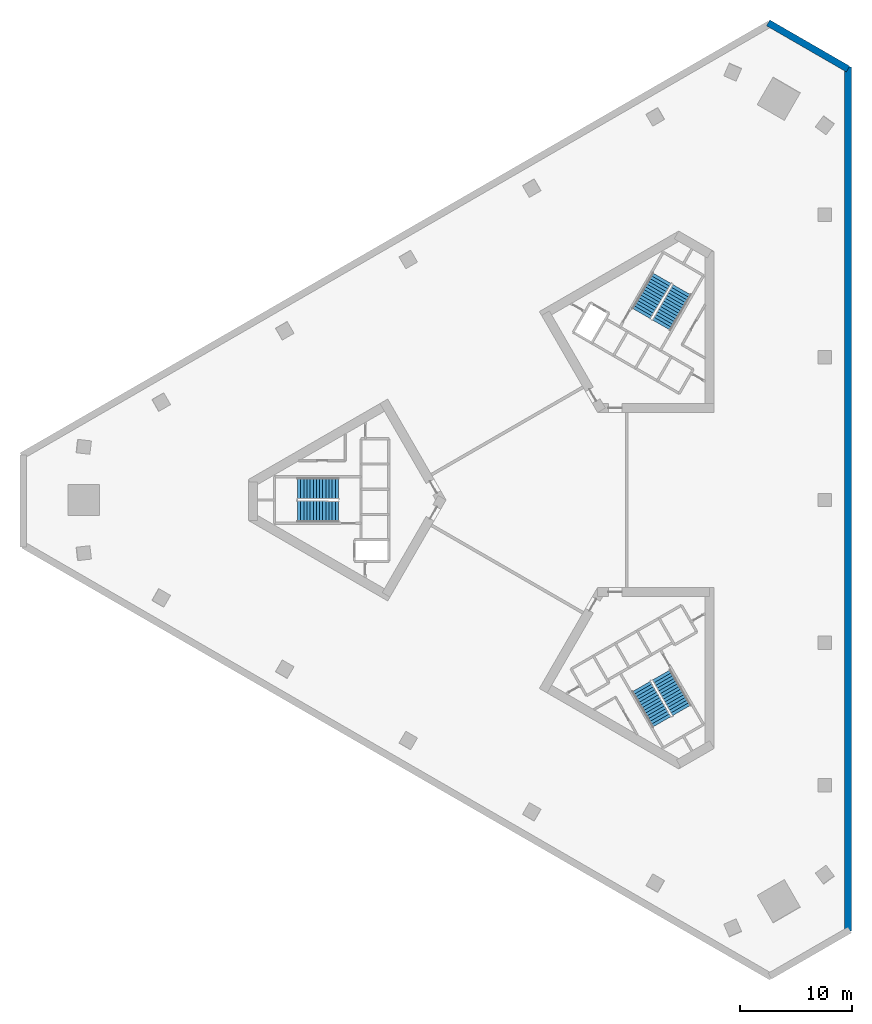
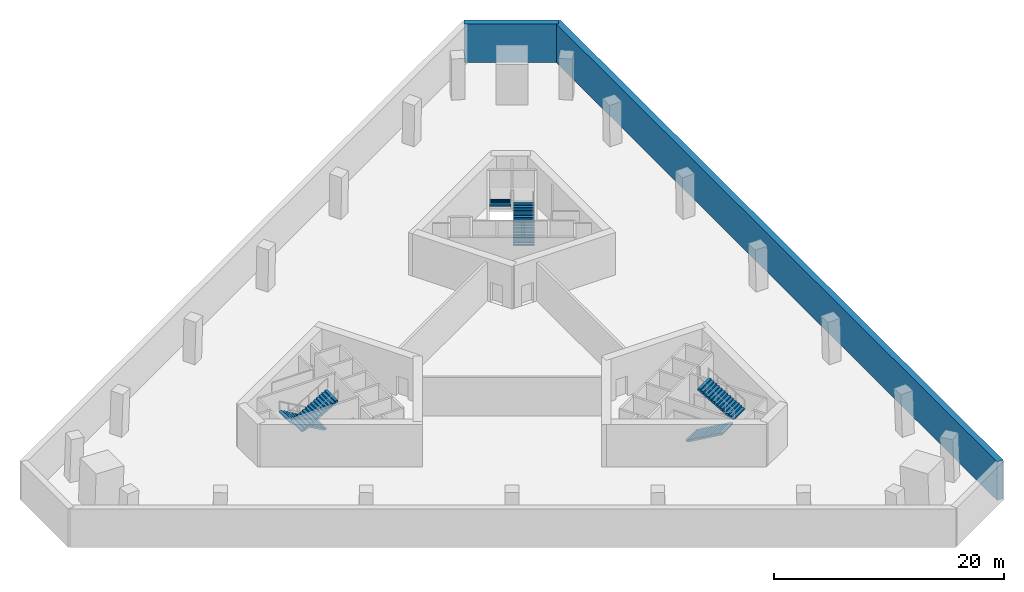
# One storey, part 5 of 6: 6 stair flights, 2 walls, 3 elements without a shape of their own.
"""IFC4 building model written with IfcOpenShell, lengths in metres."""

from ifc_helpers import new_model, si_unit, direction, frame, frame_2d, origin, place, context, subcontext, project, spatial, polyline, rectangle, outline, extrude, material, layer, layer_set, type_object, element, aggregate, save


model = new_model("IFC4")

# Units and contexts
model_context = context("Model", 3, precision=1e-05, world=origin(), true_north=direction((0.0, 1.0)))
body_context = subcontext(model_context, "Body", "Model", "MODEL_VIEW")
ifc_project = project(units=[si_unit("LENGTHUNIT", "METRE"), si_unit("AREAUNIT", "SQUARE_METRE"), si_unit("VOLUMEUNIT", "CUBIC_METRE"), si_unit("PLANEANGLEUNIT", "RADIAN"), si_unit("MASSUNIT", "GRAM", prefix="KILO")], contexts=[model_context])

# Site, building, storey
site_placement = place(None, origin())
site = spatial("IfcSite", under=ifc_project, at=site_placement, CompositionType="ELEMENT")
building_placement = place(site_placement, origin())
building = spatial("IfcBuilding", under=site, at=building_placement, Name="Jabali Bay Hotel Tower and Convention Centre", CompositionType="ELEMENT")
storey_placement = place(building_placement, frame((0.0, 0.0, -4.5)))
storey = spatial("IfcBuildingStorey", under=building, at=storey_placement, Name="B1", CompositionType="ELEMENT", Elevation=-4.5)

# Walls
ifc_material = material(Name="Concrete C40", Category="concrete")
ifc_layer = layer(ifc_material, 0.60009765625)
ifc_layer_set = layer_set([ifc_layer], Name="Concrete C40")
wall_type = type_object("IfcWallType", Name="Retaining wall 600", PredefinedType="SOLIDWALL", material=ifc_layer_set)
wall_1_placement = place(storey_placement, frame((101.800048828125, 41.6181640625, 0.0), z_axis=(0.0, 0.0, 1.0), x_axis=(0.0, 1.0, 0.0)))
element("IfcWall", 1, at=wall_1_placement, inside=storey, type_object=wall_type, Name="Retaining wall B1 1", PredefinedType="SOLIDWALL", context=body_context, shape_type="SweptSolid", body=[
    extrude(rectangle(XDim=76.93701171875, YDim=0.60009765625, at=frame_2d((38.468505859375, 0.0))), origin(), (0.0, 0.0, 1.0), 4.10009765625),
])
wall_2_placement = place(storey_placement, frame((101.800048828125, 118.3818359375, 0.0), z_axis=(0.0, 0.0, 1.0), x_axis=(-0.866022174996, 0.500005592383, 0.0)))
element("IfcWall", 2, at=wall_2_placement, inside=storey, type_object=wall_type, Name="Retaining wall B1 2", PredefinedType="SOLIDWALL", context=body_context, shape_type="SweptSolid", body=[
    extrude(rectangle(XDim=8.21044921875, YDim=0.60009765625, at=frame_2d((4.105224609375, 0.0))), origin(), (0.0, 0.0, 1.0), 4.10009765625),
])

# Stair, stair flights
stair_type = type_object("IfcStairType", Name="Exit stair 1900", PredefinedType="HALF_TURN_STAIR", material=ifc_material)
stair_1_placement = place(storey_placement, origin())
stair_1 = element("IfcStair", 3, at=stair_1_placement, inside=storey, type_object=stair_type, Name="B1 Exit Stair 1", PredefinedType="HALF_TURN_STAIR")
stair_flight_type = type_object("IfcStairFlightType", Name="Stair flight concrete 150", PredefinedType="STRAIGHT", material=ifc_material)
stair_flight_1_placement = place(storey_placement, frame((56.419921875, 81.02490234375, 0.0), z_axis=(0.0, 0.0, 1.0), x_axis=(-1.0, 0.0, 0.0)))
stair_flight_1 = element("IfcStairFlight", 4, at=stair_flight_1_placement, type_object=stair_flight_type, Name="ST1 flight 1", NumberOfRisers=14, NumberOfTreads=13, PredefinedType="STRAIGHT", RiserHeight=0.160714286, TreadLength=0.28, context=body_context, shape_type="SweptSolid", body=[
    extrude(outline(polyline([(0.0, 0.0), (0.0, 0.16064453125), (0.280029296875, 0.16064453125), (0.280029296875, 0.321533203125), (0.56005859375, 0.321533203125), (0.56005859375, 0.482177734375), (0.840087890625, 0.482177734375), (0.840087890625, 0.642822265625), (1.1201171875, 0.642822265625), (1.1201171875, 0.803466796875), (1.39990234375, 0.803466796875), (1.39990234375, 0.96435546875), (1.679931640625, 0.96435546875), (1.679931640625, 1.125), (1.9599609375, 1.125), (1.9599609375, 1.28564453125), (2.239990234375, 1.28564453125), (2.239990234375, 1.446533203125), (2.52001953125, 1.446533203125), (2.52001953125, 1.607177734375), (2.800048828125, 1.607177734375), (2.800048828125, 1.767822265625), (3.080078125, 1.767822265625), (3.080078125, 1.928466796875), (3.360107421875, 1.928466796875), (3.360107421875, 2.08935546875), (3.639892578125, 2.08935546875), (3.639892578125, 2.25), (3.639892578125, 1.91650390625), (0.301025390625, 0.0), (0.0, 0.0)])), frame((0.0, 0.949951171875, 0.0), z_axis=(0.0, -1.0, 0.0), x_axis=(1.0, 0.0, 0.0)), (0.0, 0.0, 1.0), 1.89990234375),
])
stair_flight_2_placement = place(storey_placement, frame((52.780029296875, 78.97509765625, 2.25), z_axis=(0.0, 0.0, 1.0), x_axis=(1.0, 0.0, 0.0)))
stair_flight_2 = element("IfcStairFlight", 5, at=stair_flight_2_placement, type_object=stair_flight_type, Name="ST1 flight 2", NumberOfRisers=14, NumberOfTreads=13, PredefinedType="STRAIGHT", RiserHeight=0.160714286, TreadLength=0.28, context=body_context, shape_type="SweptSolid", body=[
    extrude(outline(polyline([(0.0, 0.0), (0.0, 0.16064453125), (0.280029296875, 0.16064453125), (0.280029296875, 0.321533203125), (0.56005859375, 0.321533203125), (0.56005859375, 0.482177734375), (0.840087890625, 0.482177734375), (0.840087890625, 0.642822265625), (1.1201171875, 0.642822265625), (1.1201171875, 0.803466796875), (1.39990234375, 0.803466796875), (1.39990234375, 0.96435546875), (1.679931640625, 0.96435546875), (1.679931640625, 1.125), (1.9599609375, 1.125), (1.9599609375, 1.28564453125), (2.239990234375, 1.28564453125), (2.239990234375, 1.446533203125), (2.52001953125, 1.446533203125), (2.52001953125, 1.607177734375), (2.800048828125, 1.607177734375), (2.800048828125, 1.767822265625), (3.080078125, 1.767822265625), (3.080078125, 1.928466796875), (3.360107421875, 1.928466796875), (3.360107421875, 2.08935546875), (3.639892578125, 2.08935546875), (3.639892578125, 2.25), (3.639892578125, 1.91650390625), (0.301025390625, 0.0), (0.0, 0.0)])), frame((0.0, 0.949951171875, 0.0), z_axis=(0.0, -1.0, 0.0), x_axis=(1.0, 0.0, 0.0)), (0.0, 0.0, 1.0), 1.89990234375),
])
aggregate(stair_1, [stair_flight_1, stair_flight_2])

stair_2_placement = place(storey_placement, origin())
stair_2 = element("IfcStair", 6, at=stair_2_placement, inside=storey, type_object=stair_type, Name="B1 Exit Stair 2", PredefinedType="HALF_TURN_STAIR")
stair_flight_3_placement = place(storey_placement, frame((85.177734375, 95.578369140625, 0.0), z_axis=(0.0, 0.0, 1.0), x_axis=(0.5, 0.866025403784, 0.0)))
stair_flight_3 = element("IfcStairFlight", 7, at=stair_flight_3_placement, type_object=stair_flight_type, Name="ST2 flight 1", NumberOfRisers=14, NumberOfTreads=13, PredefinedType="STRAIGHT", RiserHeight=0.160714286, TreadLength=0.28, context=body_context, shape_type="SweptSolid", body=[
    extrude(outline(polyline([(0.0, 0.0), (0.0, 0.16064453125), (0.280029296875, 0.16064453125), (0.280029296875, 0.321533203125), (0.56005859375, 0.321533203125), (0.56005859375, 0.482177734375), (0.840087890625, 0.482177734375), (0.840087890625, 0.642822265625), (1.1201171875, 0.642822265625), (1.1201171875, 0.803466796875), (1.39990234375, 0.803466796875), (1.39990234375, 0.96435546875), (1.679931640625, 0.96435546875), (1.679931640625, 1.125), (1.9599609375, 1.125), (1.9599609375, 1.28564453125), (2.239990234375, 1.28564453125), (2.239990234375, 1.446533203125), (2.52001953125, 1.446533203125), (2.52001953125, 1.607177734375), (2.800048828125, 1.607177734375), (2.800048828125, 1.767822265625), (3.080078125, 1.767822265625), (3.080078125, 1.928466796875), (3.360107421875, 1.928466796875), (3.360107421875, 2.08935546875), (3.639892578125, 2.08935546875), (3.639892578125, 2.25), (3.639892578125, 1.91650390625), (0.301025390625, 0.0), (0.0, 0.0)])), frame((0.0, 0.949951171875, 0.0), z_axis=(0.0, -1.0, 0.0), x_axis=(1.0, 0.0, 0.0)), (0.0, 0.0, 1.0), 1.89990234375),
])
stair_flight_4_placement = place(storey_placement, frame((85.222412109375, 99.755615234375, 2.25), z_axis=(0.0, 0.0, 1.0), x_axis=(-0.5, -0.866025403784, 0.0)))
stair_flight_4 = element("IfcStairFlight", 8, at=stair_flight_4_placement, type_object=stair_flight_type, Name="ST2 flight 2", NumberOfRisers=14, NumberOfTreads=13, PredefinedType="STRAIGHT", RiserHeight=0.160714286, TreadLength=0.28, context=body_context, shape_type="SweptSolid", body=[
    extrude(outline(polyline([(0.0, 0.0), (0.0, 0.16064453125), (0.280029296875, 0.16064453125), (0.280029296875, 0.321533203125), (0.56005859375, 0.321533203125), (0.56005859375, 0.482177734375), (0.840087890625, 0.482177734375), (0.840087890625, 0.642822265625), (1.1201171875, 0.642822265625), (1.1201171875, 0.803466796875), (1.39990234375, 0.803466796875), (1.39990234375, 0.96435546875), (1.679931640625, 0.96435546875), (1.679931640625, 1.125), (1.9599609375, 1.125), (1.9599609375, 1.28564453125), (2.239990234375, 1.28564453125), (2.239990234375, 1.446533203125), (2.52001953125, 1.446533203125), (2.52001953125, 1.607177734375), (2.800048828125, 1.607177734375), (2.800048828125, 1.767822265625), (3.080078125, 1.767822265625), (3.080078125, 1.928466796875), (3.360107421875, 1.928466796875), (3.360107421875, 2.08935546875), (3.639892578125, 2.08935546875), (3.639892578125, 2.25), (3.639892578125, 1.91650390625), (0.301025390625, 0.0), (0.0, 0.0)])), frame((0.0, 0.949951171875, 0.0), z_axis=(0.0, -1.0, 0.0), x_axis=(1.0, 0.0, 0.0)), (0.0, 0.0, 1.0), 1.89990234375),
])
aggregate(stair_2, [stair_flight_3, stair_flight_4])

stair_3_placement = place(storey_placement, origin())
stair_3 = element("IfcStair", 9, at=stair_3_placement, inside=storey, type_object=stair_type, Name="B1 Exit Stair 3", PredefinedType="HALF_TURN_STAIR")
stair_flight_5_placement = place(storey_placement, frame((83.40234375, 63.396728515625, 0.0), z_axis=(0.0, 0.0, 1.0), x_axis=(0.5, -0.866025403784, 0.0)))
stair_flight_5 = element("IfcStairFlight", 10, at=stair_flight_5_placement, type_object=stair_flight_type, Name="ST3 flight 1", NumberOfRisers=14, NumberOfTreads=13, PredefinedType="STRAIGHT", RiserHeight=0.160714286, TreadLength=0.28, context=body_context, shape_type="SweptSolid", body=[
    extrude(outline(polyline([(0.0, 0.0), (0.0, 0.16064453125), (0.280029296875, 0.16064453125), (0.280029296875, 0.321533203125), (0.56005859375, 0.321533203125), (0.56005859375, 0.482177734375), (0.840087890625, 0.482177734375), (0.840087890625, 0.642822265625), (1.1201171875, 0.642822265625), (1.1201171875, 0.803466796875), (1.39990234375, 0.803466796875), (1.39990234375, 0.96435546875), (1.679931640625, 0.96435546875), (1.679931640625, 1.125), (1.9599609375, 1.125), (1.9599609375, 1.28564453125), (2.239990234375, 1.28564453125), (2.239990234375, 1.446533203125), (2.52001953125, 1.446533203125), (2.52001953125, 1.607177734375), (2.800048828125, 1.607177734375), (2.800048828125, 1.767822265625), (3.080078125, 1.767822265625), (3.080078125, 1.928466796875), (3.360107421875, 1.928466796875), (3.360107421875, 2.08935546875), (3.639892578125, 2.08935546875), (3.639892578125, 2.25), (3.639892578125, 1.91650390625), (0.301025390625, 0.0), (0.0, 0.0)])), frame((0.0, 0.949951171875, 0.0), z_axis=(0.0, -1.0, 0.0), x_axis=(1.0, 0.0, 0.0)), (0.0, 0.0, 1.0), 1.89990234375),
])
stair_flight_6_placement = place(storey_placement, frame((86.99755859375, 61.26953125, 2.25), z_axis=(0.0, 0.0, 1.0), x_axis=(-0.5, 0.866025403784, 0.0)))
stair_flight_6 = element("IfcStairFlight", 11, at=stair_flight_6_placement, type_object=stair_flight_type, Name="ST3 flight 2", NumberOfRisers=14, NumberOfTreads=13, PredefinedType="STRAIGHT", RiserHeight=0.160714286, TreadLength=0.28, context=body_context, shape_type="SweptSolid", body=[
    extrude(outline(polyline([(0.0, 0.0), (0.0, 0.16064453125), (0.280029296875, 0.16064453125), (0.280029296875, 0.321533203125), (0.56005859375, 0.321533203125), (0.56005859375, 0.482177734375), (0.840087890625, 0.482177734375), (0.840087890625, 0.642822265625), (1.1201171875, 0.642822265625), (1.1201171875, 0.803466796875), (1.39990234375, 0.803466796875), (1.39990234375, 0.96435546875), (1.679931640625, 0.96435546875), (1.679931640625, 1.125), (1.9599609375, 1.125), (1.9599609375, 1.28564453125), (2.239990234375, 1.28564453125), (2.239990234375, 1.446533203125), (2.52001953125, 1.446533203125), (2.52001953125, 1.607177734375), (2.800048828125, 1.607177734375), (2.800048828125, 1.767822265625), (3.080078125, 1.767822265625), (3.080078125, 1.928466796875), (3.360107421875, 1.928466796875), (3.360107421875, 2.08935546875), (3.639892578125, 2.08935546875), (3.639892578125, 2.25), (3.639892578125, 1.91650390625), (0.301025390625, 0.0), (0.0, 0.0)])), frame((0.0, 0.949951171875, 0.0), z_axis=(0.0, -1.0, 0.0), x_axis=(1.0, 0.0, 0.0)), (0.0, 0.0, 1.0), 1.89990234375),
])
aggregate(stair_3, [stair_flight_5, stair_flight_6])

save(model, "model.ifc")
